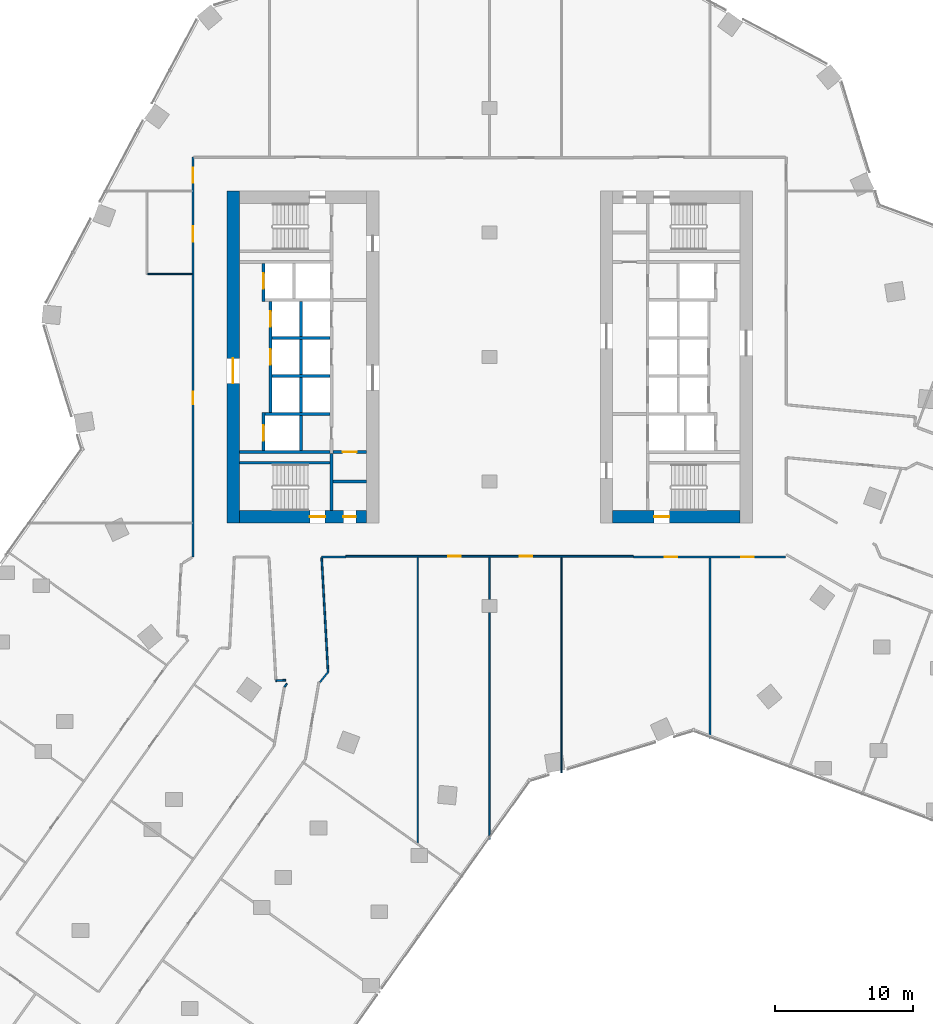
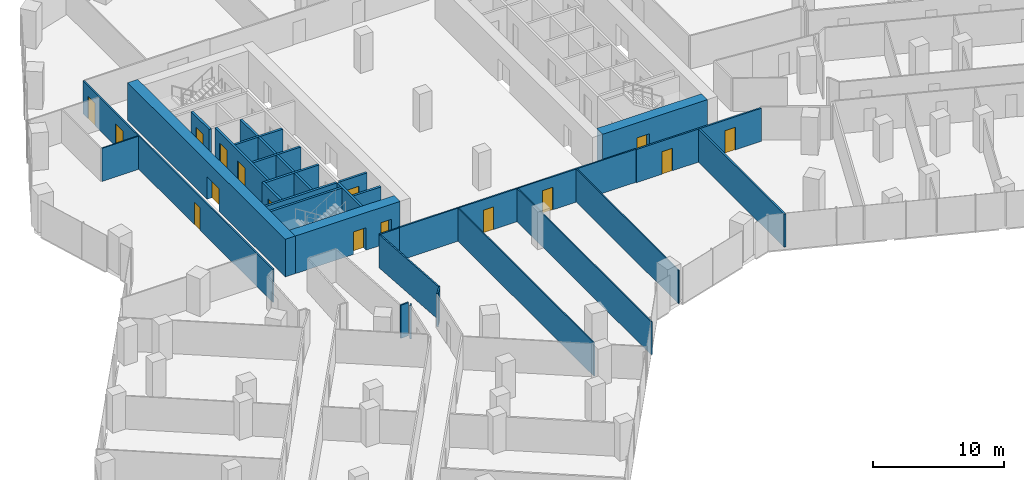
# One storey, part 24 of 31: 31 walls, 16 doors, 16 openings.
"""IFC4 building model written with IfcOpenShell, lengths in metres."""

from ifc_helpers import new_model, si_unit, direction, frame, frame_2d, origin, place, context, subcontext, project, spatial, rectangle, extrude, material, layer, layer_set, type_object, element, fill, save


model = new_model("IFC4")

# Units and contexts
model_context = context("Model", 3, precision=1e-05, world=origin(), true_north=direction((0.0, 1.0)))
body_context = subcontext(model_context, "Body", "Model", "MODEL_VIEW")
ifc_project = project(units=[si_unit("LENGTHUNIT", "METRE"), si_unit("AREAUNIT", "SQUARE_METRE"), si_unit("VOLUMEUNIT", "CUBIC_METRE"), si_unit("PLANEANGLEUNIT", "RADIAN"), si_unit("MASSUNIT", "GRAM", prefix="KILO")], contexts=[model_context])

# Site, building, storey
site_placement = place(None, origin())
site = spatial("IfcSite", under=ifc_project, at=site_placement, CompositionType="ELEMENT")
building_placement = place(site_placement, origin())
building = spatial("IfcBuilding", under=site, at=building_placement, Name="Orlundy Tower", CompositionType="ELEMENT")
storey_placement = place(building_placement, frame((0.0, 0.0, 87.699951171875)))
storey = spatial("IfcBuildingStorey", under=building, at=storey_placement, Name="L21", CompositionType="ELEMENT", Elevation=87.699951171875)

# Wall, openings, doors
ifc_material_1 = material(Name="Concrete C80/95", Category="concrete")
ifc_layer_1 = layer(ifc_material_1, 0.89990234375)
ifc_layer_set_1 = layer_set([ifc_layer_1], Name="CORE WALL 900 C80/95")
wall_type_1 = type_object("IfcWallType", Name="CORE WALL 900 C80/95", PredefinedType="SHEAR", material=ifc_layer_set_1)
wall_1_placement = place(storey_placement, frame((-18.10009765625, -11.550048828125, 0.0), z_axis=(0.0, 0.0, 1.0), x_axis=(1.0, 0.0, 0.0)))
wall_1 = element("IfcWall", 1, at=wall_1_placement, inside=storey, type_object=wall_type_1, Name="Core wall W-S L21", PredefinedType="SHEAR", context=body_context, shape_type="SweptSolid", body=[
    extrude(rectangle(XDim=9.2001953125, YDim=0.89990234375, at=frame_2d((4.60009765625, 0.0))), origin(), (0.0, 0.0, 1.0), 3.5),
])
opening_1_placement = place(wall_1_placement, frame((5.10009765625, 0.0, 0.0)))
opening_1 = element("IfcOpeningElement", 2, at=opening_1_placement, cuts=wall_1, Name="Opening 17013", PredefinedType="OPENING", context=body_context, shape_type="SweptSolid", body=[
    extrude(rectangle(XDim=1.10009765625, YDim=2.10009765625, at=frame_2d((0.550048828125, 1.050048828125))), frame((0.0, 0.4599609375, 0.0), z_axis=(0.0, -1.0, 0.0), x_axis=(1.0, 0.0, 0.0)), (0.0, 0.0, 1.0), 0.919921875),
])
opening_2_placement = place(wall_1_placement, frame((7.530029296875, 0.0, 0.0)))
opening_2 = element("IfcOpeningElement", 3, at=opening_2_placement, cuts=wall_1, Name="Opening 17015", PredefinedType="OPENING", context=body_context, shape_type="SweptSolid", body=[
    extrude(rectangle(XDim=0.89990234375, YDim=2.10009765625, at=frame_2d((0.449951171875, 1.050048828125))), frame((0.0, 0.4599609375, 0.0), z_axis=(0.0, -1.0, 0.0), x_axis=(1.0, 0.0, 0.0)), (0.0, 0.0, 1.0), 0.919921875),
])
ifc_material_2 = material(Name="Timber door set", Category="wood")
door_type_1 = type_object("IfcDoorType", Name="Room Door 900x2100", OperationType="SINGLE_SWING_LEFT", PredefinedType="DOOR", material=ifc_material_2)
door_1_placement = place(opening_2_placement, origin())
door_1 = element("IfcDoor", 4, at=door_1_placement, inside=storey, type_object=door_type_1, Name="Store door 17015", OperationType="SINGLE_SWING_RIGHT", OverallHeight=2.10009765625, OverallWidth=0.89990234375, PredefinedType="DOOR", context=body_context, shape_type="SweptSolid", body=[
    extrude(rectangle(XDim=0.89990234375, YDim=2.10009765625, at=frame_2d((0.449951171875, 1.050048828125))), frame((0.0, 0.02490234375, 0.0), z_axis=(0.0, -1.0, 0.0), x_axis=(1.0, 0.0, 0.0)), (0.0, 0.0, 1.0), 0.050048828125),
])
fill(opening_2, door_1)
ifc_material_3 = material(Name="Steel door set", Category="steel")
door_type_2 = type_object("IfcDoorType", Name="Stair Door 1100x2100", OperationType="SINGLE_SWING_LEFT", PredefinedType="DOOR", material=ifc_material_3)
door_2_placement = place(opening_1_placement, origin())
door_2 = element("IfcDoor", 5, at=door_2_placement, inside=storey, type_object=door_type_2, Name="Stair door 17013", OperationType="SINGLE_SWING_RIGHT", OverallHeight=2.10009765625, OverallWidth=1.10009765625, PredefinedType="DOOR", context=body_context, shape_type="SweptSolid", body=[
    extrude(rectangle(XDim=1.10009765625, YDim=2.10009765625, at=frame_2d((0.550048828125, 1.050048828125))), frame((0.0, 0.02490234375, 0.0), z_axis=(0.0, -1.0, 0.0), x_axis=(1.0, 0.0, 0.0)), (0.0, 0.0, 1.0), 0.050048828125),
])
fill(opening_1, door_2)

# Wall, opening, door
wall_2_placement = place(storey_placement, frame((-18.550048828125, -12.0, 0.0), z_axis=(0.0, 0.0, 1.0), x_axis=(0.0, 1.0, 0.0)))
wall_2 = element("IfcWall", 6, at=wall_2_placement, inside=storey, type_object=wall_type_1, Name="Core wall W-W L21", PredefinedType="SHEAR", context=body_context, shape_type="SweptSolid", body=[
    extrude(rectangle(XDim=24.0, YDim=0.89990234375, at=frame_2d((12.0, 0.0))), origin(), (0.0, 0.0, 1.0), 3.5),
])
opening_3_placement = place(wall_2_placement, frame((10.10009765625, 0.0, 0.0)))
opening_3 = element("IfcOpeningElement", 7, at=opening_3_placement, cuts=wall_2, Name="Opening 17010", PredefinedType="OPENING", context=body_context, shape_type="SweptSolid", body=[
    extrude(rectangle(XDim=1.800048828125, YDim=2.10009765625, at=frame_2d((0.89990234375, 1.050048828125))), frame((0.0, 0.4599609375, 0.0), z_axis=(0.0, -1.0, 0.0), x_axis=(1.0, 0.0, 0.0)), (0.0, 0.0, 1.0), 0.919921875),
])
ifc_material_4 = material(Name="Timber door set", Category="wood")
door_type_3 = type_object("IfcDoorType", Name="Lobby Door 1800x2100", OperationType="DOUBLE_DOOR_DOUBLE_SWING", PredefinedType="DOOR", material=ifc_material_4)
door_3_placement = place(opening_3_placement, origin())
door_3 = element("IfcDoor", 8, at=door_3_placement, inside=storey, type_object=door_type_3, Name="Lift lobby door 17010", OperationType="SINGLE_SWING_LEFT", OverallHeight=2.10009765625, OverallWidth=1.800048828125, PredefinedType="DOOR", context=body_context, shape_type="SweptSolid", body=[
    extrude(rectangle(XDim=1.800048828125, YDim=2.10009765625, at=frame_2d((0.89990234375, 1.050048828125))), frame((0.0, 0.02490234375, 0.0), z_axis=(0.0, -1.0, 0.0), x_axis=(1.0, 0.0, 0.0)), (0.0, 0.0, 1.0), 0.050048828125),
])
fill(opening_3, door_3)

wall_3_placement = place(storey_placement, frame((8.89990234375, -11.550048828125, 0.0), z_axis=(0.0, 0.0, 1.0), x_axis=(1.0, 0.0, 0.0)))
wall_3 = element("IfcWall", 9, at=wall_3_placement, inside=storey, type_object=wall_type_1, Name="Core wall E-S L21", PredefinedType="SHEAR", context=body_context, shape_type="SweptSolid", body=[
    extrude(rectangle(XDim=9.2001953125, YDim=0.89990234375, at=frame_2d((4.60009765625, 0.0))), origin(), (0.0, 0.0, 1.0), 3.5),
])
opening_4_placement = place(wall_3_placement, frame((3.0, 0.0, 0.0)))
opening_4 = element("IfcOpeningElement", 10, at=opening_4_placement, cuts=wall_3, Name="Opening 17061", PredefinedType="OPENING", context=body_context, shape_type="SweptSolid", body=[
    extrude(rectangle(XDim=1.10009765625, YDim=2.10009765625, at=frame_2d((0.550048828125, 1.050048828125))), frame((0.0, 0.4599609375, 0.0), z_axis=(0.0, -1.0, 0.0), x_axis=(1.0, 0.0, 0.0)), (0.0, 0.0, 1.0), 0.919921875),
])
door_4_placement = place(opening_4_placement, origin())
door_4 = element("IfcDoor", 11, at=door_4_placement, inside=storey, type_object=door_type_2, Name="Stair door 17061", OperationType="SINGLE_SWING_LEFT", OverallHeight=2.10009765625, OverallWidth=1.10009765625, PredefinedType="DOOR", context=body_context, shape_type="SweptSolid", body=[
    extrude(rectangle(XDim=1.10009765625, YDim=2.10009765625, at=frame_2d((0.550048828125, 1.050048828125))), frame((0.0, 0.02490234375, 0.0), z_axis=(0.0, -1.0, 0.0), x_axis=(1.0, 0.0, 0.0)), (0.0, 0.0, 1.0), 0.050048828125),
])
fill(opening_4, door_4)

# Walls
ifc_material_5 = material(Name="Gypsum board partition")
ifc_layer_2 = layer(ifc_material_5, 0.10009765625)
ifc_layer_set_2 = layer_set([ifc_layer_2], Name="Floor partition 100")
wall_type_2 = type_object("IfcWallType", Name="Floor partition 100", PredefinedType="PARTITIONING", material=ifc_layer_set_2)
wall_4_placement = place(storey_placement, frame((-24.73193359375, 6.0009765625, 0.0), z_axis=(0.0, 0.0, 1.0), x_axis=(1.0, 0.0, 0.0)))
element("IfcWall", 12, at=wall_4_placement, inside=storey, type_object=wall_type_2, Name="wall-int-L21-036", PredefinedType="PARTITIONING", context=body_context, shape_type="SweptSolid", body=[
    extrude(rectangle(XDim=3.219970703125, YDim=0.10009765625, at=frame_2d((1.60986328125, 0.0))), origin(), (0.0, 0.0, 1.0), 3.080078125),
])
wall_5_placement = place(storey_placement, frame((5.196044921875, -30.04296875, 0.0), z_axis=(0.0, 0.0, 1.0), x_axis=(0.0, 1.0, 0.0)))
element("IfcWall", 13, at=wall_5_placement, inside=storey, type_object=wall_type_2, Name="wall-int-L21-081", PredefinedType="PARTITIONING", context=body_context, shape_type="SweptSolid", body=[
    extrude(rectangle(XDim=15.580078125, YDim=0.10009765625, at=frame_2d((7.7900390625, 0.0))), origin(), (0.0, 0.0, 1.0), 3.080078125),
])
wall_6_placement = place(storey_placement, frame((0.0, -34.87109375, 0.0), z_axis=(0.0, 0.0, 1.0), x_axis=(0.0, 1.0, 0.0)))
element("IfcWall", 14, at=wall_6_placement, inside=storey, type_object=wall_type_2, Name="wall-int-L21-083", PredefinedType="PARTITIONING", context=body_context, shape_type="SweptSolid", body=[
    extrude(rectangle(XDim=20.408203125, YDim=0.10009765625, at=frame_2d((10.2041015625, 0.0))), origin(), (0.0, 0.0, 1.0), 3.080078125),
])
wall_7_placement = place(storey_placement, frame((-5.195068359375, -35.126953125, 0.0), z_axis=(0.0, 0.0, 1.0), x_axis=(0.0, 1.0, 0.0)))
element("IfcWall", 15, at=wall_7_placement, inside=storey, type_object=wall_type_2, Name="wall-int-L21-085", PredefinedType="PARTITIONING", context=body_context, shape_type="SweptSolid", body=[
    extrude(rectangle(XDim=20.6640625, YDim=0.10009765625, at=frame_2d((10.33203125, 0.0))), origin(), (0.0, 0.0, 1.0), 3.080078125),
])
ifc_material_6 = material(Name="Gypsum board partition, double layer")
ifc_layer_3 = layer(ifc_material_6, 0.125)
ifc_layer_set_3 = layer_set([ifc_layer_3], Name="Floor partition 125")
wall_type_3 = type_object("IfcWallType", Name="Floor partition 125", PredefinedType="PARTITIONING", material=ifc_layer_set_3)
wall_8_placement = place(storey_placement, frame((-12.14404296875, -14.512939453125, 0.0), z_axis=(0.0, 0.0, 1.0), x_axis=(0.055914043425, -0.998435586179, 0.0)))
element("IfcWall", 16, at=wall_8_placement, inside=storey, type_object=wall_type_3, Name="wall-int-L21-002", PredefinedType="PARTITIONING", context=body_context, shape_type="SweptSolid", body=[
    extrude(rectangle(XDim=8.282958984375, YDim=0.125, at=frame_2d((4.1416015625, 0.0))), origin(), (0.0, 0.0, 1.0), 3.080078125),
])
wall_9_placement = place(storey_placement, frame((-12.14697265625, -14.450927734375, 0.0), z_axis=(0.0, 0.0, 1.0), x_axis=(1.0, 0.0, 0.0)))
element("IfcWall", 17, at=wall_9_placement, inside=storey, type_object=wall_type_3, Name="wall-int-L21-032", PredefinedType="PARTITIONING", context=body_context, shape_type="SweptSolid", body=[
    extrude(rectangle(XDim=1.755859375, YDim=0.125, at=frame_2d((0.8779296875, 0.0))), origin(), (0.0, 0.0, 1.0), 3.080078125),
])

# Wall, openings, doors
wall_10_placement = place(storey_placement, frame((10.39111328125, -14.40087890625, 0.0), z_axis=(0.0, 0.0, 1.0), x_axis=(-1.0, 0.0, 0.0)))
wall_10 = element("IfcWall", 18, at=wall_10_placement, inside=storey, type_object=wall_type_3, Name="wall-int-L21-034", PredefinedType="PARTITIONING", context=body_context, shape_type="SweptSolid", body=[
    extrude(rectangle(XDim=20.781005859375, YDim=0.125, at=frame_2d((10.390625, 0.0))), origin(), (0.0, 0.0, 1.0), 3.080078125),
])
opening_5_placement = place(wall_10_placement, frame((12.490966796875, 0.0, 0.0)))
opening_5 = element("IfcOpeningElement", 19, at=opening_5_placement, cuts=wall_10, Name="Opening 17126", PredefinedType="OPENING", context=body_context, shape_type="SweptSolid", body=[
    extrude(rectangle(XDim=0.89990234375, YDim=2.10009765625, at=frame_2d((0.449951171875, 1.050048828125))), frame((0.0, 0.072509765625, 0.0), z_axis=(0.0, -1.0, 0.0), x_axis=(1.0, 0.0, 0.0)), (0.0, 0.0, 1.0), 0.14501953125),
])
opening_6_placement = place(wall_10_placement, frame((7.294921875, 0.0, 0.0)))
opening_6 = element("IfcOpeningElement", 20, at=opening_6_placement, cuts=wall_10, Name="Opening 17127", PredefinedType="OPENING", context=body_context, shape_type="SweptSolid", body=[
    extrude(rectangle(XDim=0.89990234375, YDim=2.10009765625, at=frame_2d((0.449951171875, 1.050048828125))), frame((0.0, 0.072509765625, 0.0), z_axis=(0.0, -1.0, 0.0), x_axis=(1.0, 0.0, 0.0)), (0.0, 0.0, 1.0), 0.14501953125),
])
ifc_material_7 = material(Name="Timber door leaf", Category="wood")
door_type_4 = type_object("IfcDoorType", Name="Floor door single 900 FD30S", OperationType="NOTDEFINED", PredefinedType="DOOR", material=ifc_material_7)
door_5_placement = place(opening_5_placement, origin())
door_5 = element("IfcDoor", 21, at=door_5_placement, inside=storey, type_object=door_type_4, Name="Door 17126", OperationType="SINGLE_SWING_RIGHT", OverallHeight=2.10009765625, OverallWidth=0.89990234375, PredefinedType="DOOR", context=body_context, shape_type="SweptSolid", body=[
    extrude(rectangle(XDim=0.89990234375, YDim=2.10009765625, at=frame_2d((0.449951171875, 1.050048828125))), frame((0.0, 0.02490234375, 0.0), z_axis=(0.0, -1.0, 0.0), x_axis=(1.0, 0.0, 0.0)), (0.0, 0.0, 1.0), 0.050048828125),
])
fill(opening_5, door_5)
door_6_placement = place(opening_6_placement, origin())
door_6 = element("IfcDoor", 22, at=door_6_placement, inside=storey, type_object=door_type_4, Name="Door 17127", OperationType="SINGLE_SWING_LEFT", OverallHeight=2.10009765625, OverallWidth=0.89990234375, PredefinedType="DOOR", context=body_context, shape_type="SweptSolid", body=[
    extrude(rectangle(XDim=0.89990234375, YDim=2.10009765625, at=frame_2d((0.449951171875, 1.050048828125))), frame((0.0, 0.02490234375, 0.0), z_axis=(0.0, -1.0, 0.0), x_axis=(1.0, 0.0, 0.0)), (0.0, 0.0, 1.0), 0.050048828125),
])
fill(opening_6, door_6)

# Walls
wall_11_placement = place(storey_placement, frame((-15.451904296875, -23.404052734375, 0.0), z_axis=(0.0, 0.0, 1.0), x_axis=(0.99844205744, 0.055798368561, 0.0)))
element("IfcWall", 23, at=wall_11_placement, inside=storey, type_object=wall_type_3, Name="wall-int-L21-042", PredefinedType="PARTITIONING", context=body_context, shape_type="SweptSolid", body=[
    extrude(rectangle(XDim=0.699951171875, YDim=0.125, at=frame_2d((0.35009765625, 0.0))), origin(), (0.0, 0.0, 1.0), 3.080078125),
])
wall_12_placement = place(storey_placement, frame((-12.261962890625, -23.501953125, 0.0), z_axis=(0.0, 0.0, 1.0), x_axis=(0.628552238649, 0.777767370934, 0.0)))
element("IfcWall", 24, at=wall_12_placement, inside=storey, type_object=wall_type_3, Name="wall-int-L21-043", PredefinedType="PARTITIONING", context=body_context, shape_type="SweptSolid", body=[
    extrude(rectangle(XDim=0.92431640625, YDim=0.125, at=frame_2d((0.462158203125, 0.0))), origin(), (0.0, 0.0, 1.0), 3.080078125),
])
wall_13_placement = place(storey_placement, frame((-14.840087890625, -23.85693359375, 0.0), z_axis=(0.0, 0.0, 1.0), x_axis=(0.586176879317, 0.810183106559, 0.0)))
element("IfcWall", 25, at=wall_13_placement, inside=storey, type_object=wall_type_3, Name="wall-int-L21-047", PredefinedType="PARTITIONING", context=body_context, shape_type="SweptSolid", body=[
    extrude(rectangle(XDim=0.298583984375, YDim=0.125, at=frame_2d((0.1494140625, 0.0))), origin(), (0.0, 0.0, 1.0), 3.080078125),
])

# Wall, openings, doors
wall_14_placement = place(storey_placement, frame((-21.449951171875, -14.444091796875, 0.0), z_axis=(0.0, 0.0, 1.0), x_axis=(0.0, 1.0, 0.0)))
wall_14 = element("IfcWall", 26, at=wall_14_placement, inside=storey, type_object=wall_type_3, Name="wall-int-L21-088", PredefinedType="PARTITIONING", context=body_context, shape_type="SweptSolid", body=[
    extrude(rectangle(XDim=28.89501953125, YDim=0.125, at=frame_2d((14.447509765625, 0.0))), origin(), (0.0, 0.0, 1.0), 3.080078125),
])
opening_7_placement = place(wall_14_placement, frame((11.0439453125, 0.0, 0.0)))
opening_7 = element("IfcOpeningElement", 27, at=opening_7_placement, cuts=wall_14, Name="Opening 17122", PredefinedType="OPENING", context=body_context, shape_type="SweptSolid", body=[
    extrude(rectangle(XDim=0.89990234375, YDim=2.10009765625, at=frame_2d((0.449951171875, 1.050048828125))), frame((0.0, 0.072509765625, 0.0), z_axis=(0.0, -1.0, 0.0), x_axis=(1.0, 0.0, 0.0)), (0.0, 0.0, 1.0), 0.14501953125),
])
opening_8_placement = place(wall_14_placement, frame((27.0439453125, 0.0, 0.0)))
opening_8 = element("IfcOpeningElement", 28, at=opening_8_placement, cuts=wall_14, Name="Opening 17137", PredefinedType="OPENING", context=body_context, shape_type="SweptSolid", body=[
    extrude(rectangle(XDim=1.10009765625, YDim=2.10009765625, at=frame_2d((0.550048828125, 1.050048828125))), frame((0.0, 0.072509765625, 0.0), z_axis=(0.0, -1.0, 0.0), x_axis=(1.0, 0.0, 0.0)), (0.0, 0.0, 1.0), 0.14501953125),
])
opening_9_placement = place(wall_14_placement, frame((22.794921875, 0.0, 0.0)))
opening_9 = element("IfcOpeningElement", 29, at=opening_9_placement, cuts=wall_14, Name="Opening 17138", PredefinedType="OPENING", context=body_context, shape_type="SweptSolid", body=[
    extrude(rectangle(XDim=1.10009765625, YDim=2.10009765625, at=frame_2d((0.550048828125, 1.050048828125))), frame((0.0, 0.072509765625, 0.0), z_axis=(0.0, -1.0, 0.0), x_axis=(1.0, 0.0, 0.0)), (0.0, 0.0, 1.0), 0.14501953125),
])
door_7_placement = place(opening_7_placement, origin())
door_7 = element("IfcDoor", 30, at=door_7_placement, inside=storey, type_object=door_type_4, Name="Door 17122", OperationType="SINGLE_SWING_LEFT", OverallHeight=2.10009765625, OverallWidth=0.89990234375, PredefinedType="DOOR", context=body_context, shape_type="SweptSolid", body=[
    extrude(rectangle(XDim=0.89990234375, YDim=2.10009765625, at=frame_2d((0.449951171875, 1.050048828125))), frame((0.0, 0.02490234375, 0.0), z_axis=(0.0, -1.0, 0.0), x_axis=(1.0, 0.0, 0.0)), (0.0, 0.0, 1.0), 0.050048828125),
])
fill(opening_7, door_7)
ifc_material_8 = material(Name="Timber door leaf", Category="wood")
door_type_5 = type_object("IfcDoorType", Name="Floor door xwide 1100 FD30S", OperationType="NOTDEFINED", PredefinedType="DOOR", material=ifc_material_8)
door_8_placement = place(opening_8_placement, origin())
door_8 = element("IfcDoor", 31, at=door_8_placement, inside=storey, type_object=door_type_5, Name="Door 17137", OperationType="SINGLE_SWING_RIGHT", OverallHeight=2.10009765625, OverallWidth=1.10009765625, PredefinedType="DOOR", context=body_context, shape_type="SweptSolid", body=[
    extrude(rectangle(XDim=1.10009765625, YDim=2.10009765625, at=frame_2d((0.550048828125, 1.050048828125))), frame((0.0, 0.02490234375, 0.0), z_axis=(0.0, -1.0, 0.0), x_axis=(1.0, 0.0, 0.0)), (0.0, 0.0, 1.0), 0.050048828125),
])
fill(opening_8, door_8)
door_9_placement = place(opening_9_placement, origin())
door_9 = element("IfcDoor", 32, at=door_9_placement, inside=storey, type_object=door_type_5, Name="Door 17138", OperationType="SINGLE_SWING_RIGHT", OverallHeight=2.10009765625, OverallWidth=1.10009765625, PredefinedType="DOOR", context=body_context, shape_type="SweptSolid", body=[
    extrude(rectangle(XDim=1.10009765625, YDim=2.10009765625, at=frame_2d((0.550048828125, 1.050048828125))), frame((0.0, 0.02490234375, 0.0), z_axis=(0.0, -1.0, 0.0), x_axis=(1.0, 0.0, 0.0)), (0.0, 0.0, 1.0), 0.050048828125),
])
fill(opening_9, door_9)

ifc_material_9 = material(Name="Blockwork shaft wall", Category="masonry")
ifc_layer_4 = layer(ifc_material_9, 0.14990234375)
ifc_layer_set_4 = layer_set([ifc_layer_4], Name="Floor shaft wall 150")
wall_type_4 = type_object("IfcWallType", Name="Floor shaft wall 150", PredefinedType="PARTITIONING", material=ifc_layer_set_4)
wall_15_placement = place(storey_placement, frame((21.375, -14.450927734375, 0.0), z_axis=(0.0, 0.0, 1.0), x_axis=(-1.0, 0.0, 0.0)))
wall_15 = element("IfcWall", 33, at=wall_15_placement, inside=storey, type_object=wall_type_4, Name="wall-int-L21-033", PredefinedType="PARTITIONING", context=body_context, shape_type="SweptSolid", body=[
    extrude(rectangle(XDim=10.98388671875, YDim=0.14990234375, at=frame_2d((5.491943359375, 0.0))), origin(), (0.0, 0.0, 1.0), 3.080078125),
])
opening_10_placement = place(wall_15_placement, frame((7.803955078125, 0.0, 0.0)))
opening_10 = element("IfcOpeningElement", 34, at=opening_10_placement, cuts=wall_15, Name="Opening 17128", PredefinedType="OPENING", context=body_context, shape_type="SweptSolid", body=[
    extrude(rectangle(XDim=0.89990234375, YDim=2.10009765625, at=frame_2d((0.449951171875, 1.050048828125))), frame((0.0, 0.0849609375, 0.0), z_axis=(0.0, -1.0, 0.0), x_axis=(1.0, 0.0, 0.0)), (0.0, 0.0, 1.0), 0.169921875),
])
opening_11_placement = place(wall_15_placement, frame((2.27490234375, 0.0, 0.0)))
opening_11 = element("IfcOpeningElement", 35, at=opening_11_placement, cuts=wall_15, Name="Opening 17129", PredefinedType="OPENING", context=body_context, shape_type="SweptSolid", body=[
    extrude(rectangle(XDim=0.89990234375, YDim=2.10009765625, at=frame_2d((0.449951171875, 1.050048828125))), frame((0.0, 0.0849609375, 0.0), z_axis=(0.0, -1.0, 0.0), x_axis=(1.0, 0.0, 0.0)), (0.0, 0.0, 1.0), 0.169921875),
])
ifc_material_10 = material(Name="Timber door leaf", Category="wood")
door_type_6 = type_object("IfcDoorType", Name="Floor door single 900 FD60", OperationType="NOTDEFINED", PredefinedType="DOOR", material=ifc_material_10)
door_10_placement = place(opening_10_placement, origin())
door_10 = element("IfcDoor", 36, at=door_10_placement, inside=storey, type_object=door_type_6, Name="Door 17128", OperationType="SINGLE_SWING_RIGHT", OverallHeight=2.10009765625, OverallWidth=0.89990234375, PredefinedType="DOOR", context=body_context, shape_type="SweptSolid", body=[
    extrude(rectangle(XDim=0.89990234375, YDim=2.10009765625, at=frame_2d((0.449951171875, 1.050048828125))), frame((0.0, 0.02490234375, 0.0), z_axis=(0.0, -1.0, 0.0), x_axis=(1.0, 0.0, 0.0)), (0.0, 0.0, 1.0), 0.050048828125),
])
fill(opening_10, door_10)
door_11_placement = place(opening_11_placement, origin())
door_11 = element("IfcDoor", 37, at=door_11_placement, inside=storey, type_object=door_type_6, Name="Door 17129", OperationType="SINGLE_SWING_LEFT", OverallHeight=2.10009765625, OverallWidth=0.89990234375, PredefinedType="DOOR", context=body_context, shape_type="SweptSolid", body=[
    extrude(rectangle(XDim=0.89990234375, YDim=2.10009765625, at=frame_2d((0.449951171875, 1.050048828125))), frame((0.0, 0.02490234375, 0.0), z_axis=(0.0, -1.0, 0.0), x_axis=(1.0, 0.0, 0.0)), (0.0, 0.0, 1.0), 0.050048828125),
])
fill(opening_11, door_11)

# Walls
wall_16_placement = place(storey_placement, frame((15.9208984375, -27.572021484375, 0.0), z_axis=(0.0, 0.0, 1.0), x_axis=(0.0, 1.0, 0.0)))
element("IfcWall", 38, at=wall_16_placement, inside=storey, type_object=wall_type_4, Name="wall-int-L21-079", PredefinedType="PARTITIONING", context=body_context, shape_type="SweptSolid", body=[
    extrude(rectangle(XDim=13.046142578125, YDim=0.14990234375, at=frame_2d((6.52294921875, 0.0))), origin(), (0.0, 0.0, 1.0), 3.080078125),
])
ifc_material_11 = material(Name="Concrete C40/50", Category="concrete")
ifc_layer_5 = layer(ifc_material_11, 0.199951171875)
ifc_layer_set_5 = layer_set([ifc_layer_5], Name="Load-bearing Shaft Wall 200")
wall_type_5 = type_object("IfcWallType", Name="Load-bearing Shaft Wall 200", PredefinedType="SOLIDWALL", material=ifc_layer_set_5)
wall_17_placement = place(storey_placement, frame((-11.43994140625, -11.10009765625, 0.0), z_axis=(0.0, 0.0, 1.0), x_axis=(0.0, 1.0, 0.0)))
element("IfcWall", 39, at=wall_17_placement, inside=storey, type_object=wall_type_5, Name="Shaft wall W17-stair-end-s", PredefinedType="SOLIDWALL", context=body_context, shape_type="SweptSolid", body=[
    extrude(rectangle(XDim=4.125, YDim=0.199951171875, at=frame_2d((2.0625, 0.0))), origin(), (0.0, 0.0, 1.0), 3.090087890625),
])
wall_18_placement = place(storey_placement, frame((-11.5400390625, -7.64990234375, 0.0), z_axis=(0.0, 0.0, 1.0), x_axis=(-1.0, 0.0, 0.0)))
element("IfcWall", 40, at=wall_18_placement, inside=storey, type_object=wall_type_5, Name="Shaft wall W17-stair-side-s", PredefinedType="SOLIDWALL", context=body_context, shape_type="SweptSolid", body=[
    extrude(rectangle(XDim=6.56005859375, YDim=0.199951171875, at=frame_2d((3.280029296875, 0.0))), origin(), (0.0, 0.0, 1.0), 3.090087890625),
])

# Wall, opening, door
ifc_material_12 = material(Name="Gypsum board partition on steel studs", Category="steel")
ifc_layer_6 = layer(ifc_material_12, 0.199951171875)
ifc_layer_set_6 = layer_set([ifc_layer_6], Name="Partition 200")
wall_type_6 = type_object("IfcWallType", Name="Partition 200", PredefinedType="PARTITIONING", material=ifc_layer_set_6)
wall_19_placement = place(storey_placement, frame((-8.89990234375, -6.875, 0.0), z_axis=(0.0, 0.0, 1.0), x_axis=(-1.0, 0.0, 0.0)))
wall_19 = element("IfcWall", 41, at=wall_19_placement, inside=storey, type_object=wall_type_6, Name="Partition wall W17-end-s", PredefinedType="PARTITIONING", context=body_context, shape_type="SweptSolid", body=[
    extrude(rectangle(XDim=2.440185546875, YDim=0.199951171875, at=frame_2d((1.22021484375, 0.0))), origin(), (0.0, 0.0, 1.0), 3.090087890625),
])
opening_12_placement = place(wall_19_placement, frame((0.719970703125, 0.0, 0.0)))
opening_12 = element("IfcOpeningElement", 42, at=opening_12_placement, cuts=wall_19, Name="Opening 17016", PredefinedType="OPENING", context=body_context, shape_type="SweptSolid", body=[
    extrude(rectangle(XDim=1.0, YDim=2.10009765625, at=frame_2d((0.5, 1.050048828125))), frame((0.0, 0.110107421875, 0.0), z_axis=(0.0, -1.0, 0.0), x_axis=(1.0, 0.0, 0.0)), (0.0, 0.0, 1.0), 0.22021484375),
])
ifc_material_13 = material(Name="Timber door set", Category="wood")
door_type_7 = type_object("IfcDoorType", Name="Accessible Door 1000x2100", OperationType="SINGLE_SWING_LEFT", PredefinedType="DOOR", material=ifc_material_13)
door_12_placement = place(opening_12_placement, origin())
door_12 = element("IfcDoor", 43, at=door_12_placement, inside=storey, type_object=door_type_7, Name="Accessible WC door 17016", OperationType="SINGLE_SWING_RIGHT", OverallHeight=2.10009765625, OverallWidth=1.0, PredefinedType="DOOR", context=body_context, shape_type="SweptSolid", body=[
    extrude(rectangle(XDim=1.0, YDim=2.10009765625, at=frame_2d((0.5, 1.050048828125))), frame((0.0, 0.02490234375, 0.0), z_axis=(0.0, -1.0, 0.0), x_axis=(1.0, 0.0, 0.0)), (0.0, 0.0, 1.0), 0.050048828125),
])
fill(opening_12, door_12)

# Walls
wall_20_placement = place(storey_placement, frame((-8.89990234375, -9.0, 0.0), z_axis=(0.0, 0.0, 1.0), x_axis=(-1.0, 0.0, 0.0)))
element("IfcWall", 44, at=wall_20_placement, inside=storey, type_object=wall_type_6, Name="Partition wall W17-room-s0", PredefinedType="PARTITIONING", context=body_context, shape_type="SweptSolid", body=[
    extrude(rectangle(XDim=2.440185546875, YDim=0.199951171875, at=frame_2d((1.22021484375, 0.0))), origin(), (0.0, 0.0, 1.0), 3.090087890625),
])
ifc_material_14 = material(Name="Fire-rated blockwork shaft wall", Category="masonry")
ifc_layer_7 = layer(ifc_material_14, 0.199951171875)
ifc_layer_set_7 = layer_set([ifc_layer_7], Name="Shaft Wall 200")
wall_type_7 = type_object("IfcWallType", Name="Shaft Wall 200", PredefinedType="SOLIDWALL", material=ifc_layer_set_7)
wall_21_placement = place(storey_placement, frame((-11.5400390625, -6.875, 0.0), z_axis=(0.0, 0.0, 1.0), x_axis=(-1.0, 0.0, 0.0)))
element("IfcWall", 45, at=wall_21_placement, inside=storey, type_object=wall_type_7, Name="Shaft wall W17-zone-s", PredefinedType="SOLIDWALL", context=body_context, shape_type="SweptSolid", body=[
    extrude(rectangle(XDim=6.56005859375, YDim=0.199951171875, at=frame_2d((3.280029296875, 0.0))), origin(), (0.0, 0.0, 1.0), 3.090087890625),
])
wall_22_placement = place(storey_placement, frame((-11.5400390625, -4.125, 0.0), z_axis=(0.0, 0.0, 1.0), x_axis=(-1.0, 0.0, 0.0)))
element("IfcWall", 46, at=wall_22_placement, inside=storey, type_object=wall_type_7, Name="Shaft wall W17-cross-4.125", PredefinedType="SOLIDWALL", context=body_context, shape_type="SweptSolid", body=[
    extrude(rectangle(XDim=4.699951171875, YDim=0.199951171875, at=frame_2d((2.35009765625, 0.0))), origin(), (0.0, 0.0, 1.0), 3.090087890625),
])
for number, where, z_axis, x_axis, name in (
    (47, (-11.5400390625, -1.375, 0.0), (0.0, 0.0, 1.0), (-1.0, 0.0, 0.0), "Shaft wall W17-cross-1.375"),
    (48, (-11.5400390625, 1.375, 0.0), (0.0, 0.0, 1.0), (-1.0, 0.0, 0.0), "Shaft wall W17-cross+1.375"),
):
    element("IfcWall", number, at=place(storey_placement, frame(where, z_axis=z_axis, x_axis=x_axis)), inside=storey, type_object=wall_type_7, Name=name, PredefinedType="SOLIDWALL", context=body_context, shape_type="SweptSolid", body=[
        extrude(rectangle(XDim=4.199951171875, YDim=0.199951171875, at=frame_2d((2.10009765625, 0.0))), origin(), (0.0, 0.0, 1.0), 3.090087890625),
    ])
for number, where, z_axis, x_axis, name in (
    (49, (-13.639892578125, -6.77490234375, 0.0), (0.0, 0.0, 1.0), (0.0, 1.0, 0.0), "Shaft wall W17-mid-a"),
    (50, (-13.639892578125, -4.02490234375, 0.0), (0.0, 0.0, 1.0), (0.0, 1.0, 0.0), "Shaft wall W17-mid-a.1"),
    (51, (-13.639892578125, -1.27490234375, 0.0), (0.0, 0.0, 1.0), (0.0, 1.0, 0.0), "Shaft wall W17-mid-a.2"),
    (52, (-13.639892578125, 1.47509765625, 0.0), (0.0, 0.0, 1.0), (0.0, 1.0, 0.0), "Shaft wall W17-mid-a.3"),
):
    element("IfcWall", number, at=place(storey_placement, frame(where, z_axis=z_axis, x_axis=x_axis)), inside=storey, type_object=wall_type_7, Name=name, PredefinedType="SOLIDWALL", context=body_context, shape_type="SweptSolid", body=[
        extrude(rectangle(XDim=2.5498046875, YDim=0.199951171875, at=frame_2d((1.27490234375, 0.0))), origin(), (0.0, 0.0, 1.0), 3.090087890625),
    ])

# Wall, opening, door
wall_23_placement = place(storey_placement, frame((-16.340087890625, -6.77490234375, 0.0), z_axis=(0.0, 0.0, 1.0), x_axis=(0.0, 1.0, 0.0)))
wall_23 = element("IfcWall", 53, at=wall_23_placement, inside=storey, type_object=wall_type_7, Name="Shaft wall W17-front-o-a", PredefinedType="SOLIDWALL", context=body_context, shape_type="SweptSolid", body=[
    extrude(rectangle(XDim=2.75, YDim=0.199951171875, at=frame_2d((1.375, 0.0))), origin(), (0.0, 0.0, 1.0), 3.090087890625),
])
opening_13_placement = place(wall_23_placement, frame((0.72509765625, 0.0, 0.0)))
opening_13 = element("IfcOpeningElement", 54, at=opening_13_placement, cuts=wall_23, Name="Opening 17001", PredefinedType="OPENING", context=body_context, shape_type="SweptSolid", body=[
    extrude(rectangle(XDim=1.10009765625, YDim=2.10009765625, at=frame_2d((0.550048828125, 1.050048828125))), frame((0.0, 0.110107421875, 0.0), z_axis=(0.0, -1.0, 0.0), x_axis=(1.0, 0.0, 0.0)), (0.0, 0.0, 1.0), 0.22021484375),
])
ifc_material_15 = material(Name="Steel door set", Category="steel")
door_type_8 = type_object("IfcDoorType", Name="Landing Door 1100x2100", OperationType="DOUBLE_DOOR_SLIDING", PredefinedType="DOOR", material=ifc_material_15)
door_13_placement = place(opening_13_placement, origin())
door_13 = element("IfcDoor", 55, at=door_13_placement, inside=storey, type_object=door_type_8, Name="Lift landing door LV-01 17001", OperationType="DOUBLE_DOOR_SLIDING", OverallHeight=2.10009765625, OverallWidth=1.10009765625, PredefinedType="DOOR", context=body_context, shape_type="SweptSolid", body=[
    extrude(rectangle(XDim=1.10009765625, YDim=2.10009765625, at=frame_2d((0.550048828125, 1.050048828125))), frame((0.0, 0.02490234375, 0.0), z_axis=(0.0, -1.0, 0.0), x_axis=(1.0, 0.0, 0.0)), (0.0, 0.0, 1.0), 0.050048828125),
])
fill(opening_13, door_13)

# Wall, openings, doors
wall_24_placement = place(storey_placement, frame((-15.840087890625, -4.02490234375, 0.0), z_axis=(0.0, 0.0, 1.0), x_axis=(0.0, 1.0, 0.0)))
wall_24 = element("IfcWall", 56, at=wall_24_placement, inside=storey, type_object=wall_type_7, Name="Shaft wall W17-front-o-b", PredefinedType="SOLIDWALL", context=body_context, shape_type="SweptSolid", body=[
    extrude(rectangle(XDim=8.0498046875, YDim=0.199951171875, at=frame_2d((4.02490234375, 0.0))), origin(), (0.0, 0.0, 1.0), 3.090087890625),
])
opening_14_placement = place(wall_24_placement, frame((3.47509765625, 0.0, 0.0)))
opening_14 = element("IfcOpeningElement", 57, at=opening_14_placement, cuts=wall_24, Name="Opening 17003", PredefinedType="OPENING", context=body_context, shape_type="SweptSolid", body=[
    extrude(rectangle(XDim=1.10009765625, YDim=2.10009765625, at=frame_2d((0.550048828125, 1.050048828125))), frame((0.0, 0.110107421875, 0.0), z_axis=(0.0, -1.0, 0.0), x_axis=(1.0, 0.0, 0.0)), (0.0, 0.0, 1.0), 0.22021484375),
])
opening_15_placement = place(wall_24_placement, frame((6.22509765625, 0.0, 0.0)))
opening_15 = element("IfcOpeningElement", 58, at=opening_15_placement, cuts=wall_24, Name="Opening 17005", PredefinedType="OPENING", context=body_context, shape_type="SweptSolid", body=[
    extrude(rectangle(XDim=1.10009765625, YDim=2.10009765625, at=frame_2d((0.550048828125, 1.050048828125))), frame((0.0, 0.110107421875, 0.0), z_axis=(0.0, -1.0, 0.0), x_axis=(1.0, 0.0, 0.0)), (0.0, 0.0, 1.0), 0.22021484375),
])
door_14_placement = place(opening_14_placement, origin())
door_14 = element("IfcDoor", 59, at=door_14_placement, inside=storey, type_object=door_type_8, Name="Lift landing door LP-01 17003", OperationType="DOUBLE_DOOR_SLIDING", OverallHeight=2.10009765625, OverallWidth=1.10009765625, PredefinedType="DOOR", context=body_context, shape_type="SweptSolid", body=[
    extrude(rectangle(XDim=1.10009765625, YDim=2.10009765625, at=frame_2d((0.550048828125, 1.050048828125))), frame((0.0, 0.02490234375, 0.0), z_axis=(0.0, -1.0, 0.0), x_axis=(1.0, 0.0, 0.0)), (0.0, 0.0, 1.0), 0.050048828125),
])
fill(opening_14, door_14)
door_15_placement = place(opening_15_placement, origin())
door_15 = element("IfcDoor", 60, at=door_15_placement, inside=storey, type_object=door_type_8, Name="Lift landing door LP-03 17005", OperationType="DOUBLE_DOOR_SLIDING", OverallHeight=2.10009765625, OverallWidth=1.10009765625, PredefinedType="DOOR", context=body_context, shape_type="SweptSolid", body=[
    extrude(rectangle(XDim=1.10009765625, YDim=2.10009765625, at=frame_2d((0.550048828125, 1.050048828125))), frame((0.0, 0.02490234375, 0.0), z_axis=(0.0, -1.0, 0.0), x_axis=(1.0, 0.0, 0.0)), (0.0, 0.0, 1.0), 0.050048828125),
])
fill(opening_15, door_15)

# Wall, opening, door
wall_25_placement = place(storey_placement, frame((-16.340087890625, 4.02490234375, 0.0), z_axis=(0.0, 0.0, 1.0), x_axis=(0.0, 1.0, 0.0)))
wall_25 = element("IfcWall", 61, at=wall_25_placement, inside=storey, type_object=wall_type_7, Name="Shaft wall W17-front-o-c", PredefinedType="SOLIDWALL", context=body_context, shape_type="SweptSolid", body=[
    extrude(rectangle(XDim=2.75, YDim=0.199951171875, at=frame_2d((1.375, 0.0))), origin(), (0.0, 0.0, 1.0), 3.090087890625),
])
opening_16_placement = place(wall_25_placement, frame((0.925048828125, 0.0, 0.0)))
opening_16 = element("IfcOpeningElement", 62, at=opening_16_placement, cuts=wall_25, Name="Opening 17007", PredefinedType="OPENING", context=body_context, shape_type="SweptSolid", body=[
    extrude(rectangle(XDim=1.10009765625, YDim=2.10009765625, at=frame_2d((0.550048828125, 1.050048828125))), frame((0.0, 0.110107421875, 0.0), z_axis=(0.0, -1.0, 0.0), x_axis=(1.0, 0.0, 0.0)), (0.0, 0.0, 1.0), 0.22021484375),
])
door_16_placement = place(opening_16_placement, origin())
door_16 = element("IfcDoor", 63, at=door_16_placement, inside=storey, type_object=door_type_8, Name="Lift landing door LP-04 17007", OperationType="DOUBLE_DOOR_SLIDING", OverallHeight=2.10009765625, OverallWidth=1.10009765625, PredefinedType="DOOR", context=body_context, shape_type="SweptSolid", body=[
    extrude(rectangle(XDim=1.10009765625, YDim=2.10009765625, at=frame_2d((0.550048828125, 1.050048828125))), frame((0.0, 0.02490234375, 0.0), z_axis=(0.0, -1.0, 0.0), x_axis=(1.0, 0.0, 0.0)), (0.0, 0.0, 1.0), 0.050048828125),
])
fill(opening_16, door_16)

save(model, "model.ifc")
